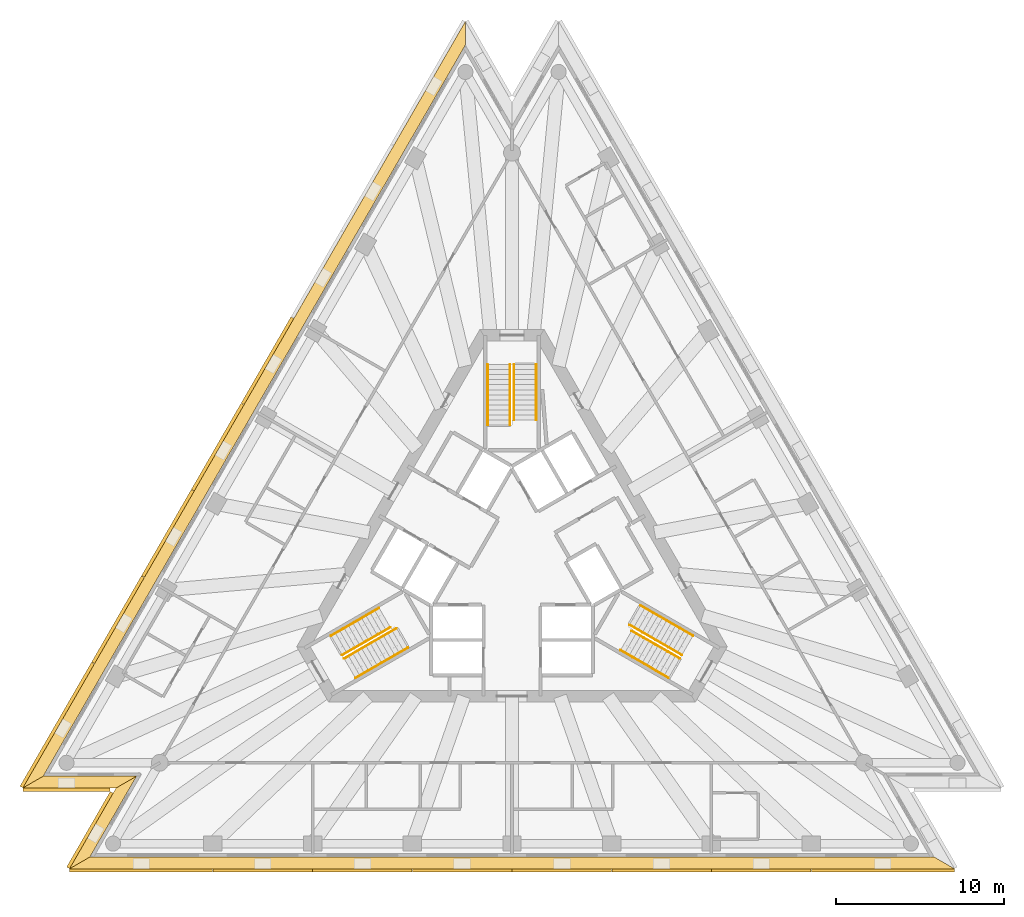
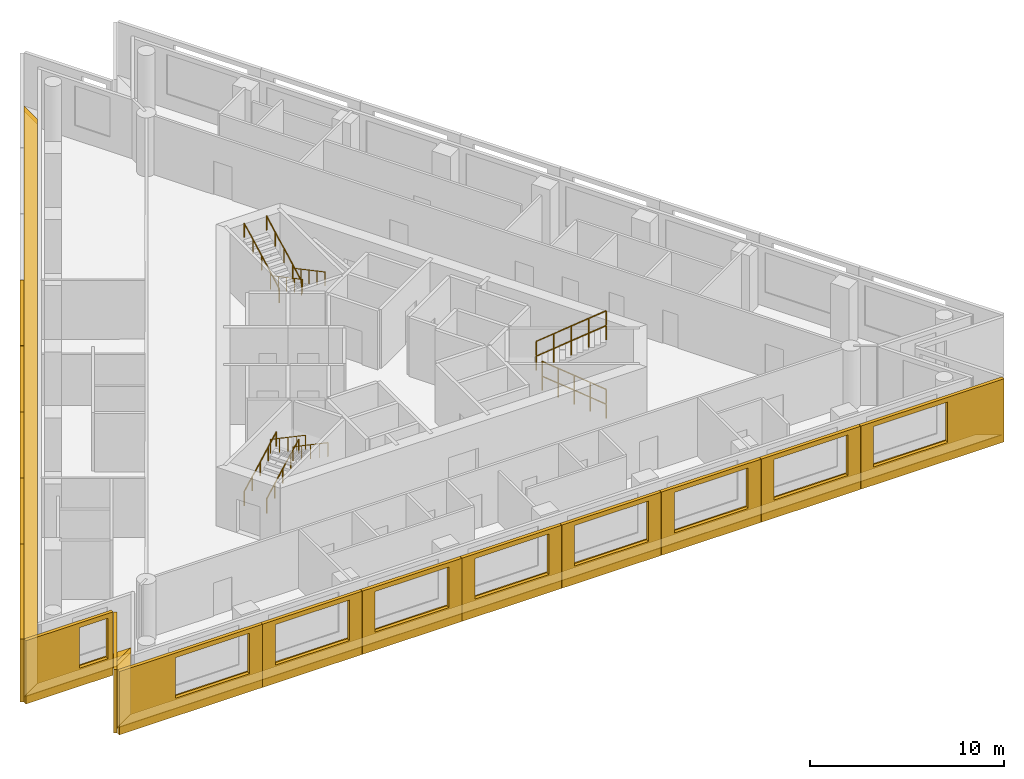
# One storey, part 8 of 9: 19 shading devices, 12 railings, 4 coverings, 3 elements without a shape of their own.
"""IFC4 building model written with IfcOpenShell, lengths in metres."""

from ifc_helpers import new_model, si_unit, direction, frame, origin, origin_2d, place, context, subcontext, project, spatial, polyline, circle, outline, extrude, material, layer, layer_set, layer_usage, type_object, element, aggregate, save


model = new_model("IFC4")

# Units and contexts
model_context = context("Model", 3, precision=1e-05, world=origin(), true_north=direction((0.0, 1.0)))
body_context = subcontext(model_context, "Body", "Model", "MODEL_VIEW")
ifc_project = project(units=[si_unit("LENGTHUNIT", "METRE"), si_unit("AREAUNIT", "SQUARE_METRE"), si_unit("VOLUMEUNIT", "CUBIC_METRE"), si_unit("PLANEANGLEUNIT", "RADIAN"), si_unit("MASSUNIT", "GRAM", prefix="KILO")], contexts=[model_context])

# Site, building, storey
site_placement = place(None, origin())
site = spatial("IfcSite", under=ifc_project, at=site_placement, CompositionType="ELEMENT")
building_placement = place(site_placement, origin())
building = spatial("IfcBuilding", under=site, at=building_placement, Name="Triada Interchange Tower", CompositionType="ELEMENT")
storey_placement = place(building_placement, frame((0.0, 0.0, 227.300048828125)))
storey = spatial("IfcBuildingStorey", under=building, at=storey_placement, Name="L53", CompositionType="ELEMENT", Elevation=227.300048828125)

# Coverings
ifc_material_1 = material(Name="Mineral fire-stop board")
ifc_layer_1 = layer(ifc_material_1, 0.0400390625, Name="Mineral fire-stop board")
ifc_material_2 = material(Name="Intumescent sealant")
ifc_layer_2 = layer(ifc_material_2, 0.010009765625, Name="Intumescent seal")
ifc_layer_set_1 = layer_set([ifc_layer_1, ifc_layer_2], Name="Cavity fire stop")
ifc_layer_usage = layer_usage(ifc_layer_set_1, "AXIS3", "POSITIVE", 0.0)
covering_type = type_object("IfcCoveringType", Name="Cavity fire stop", PredefinedType="INSULATION", material=ifc_layer_set_1)
covering_1_placement = place(storey_placement, origin())
element("IfcCovering", 1, at=covering_1_placement, inside=storey, type_object=covering_type, material=ifc_layer_usage, Name="Cavity fire stop L53 NW", PredefinedType="INSULATION", context=body_context, shape_type="SweptSolid", body=[
    extrude(outline(polyline([(-2.777099609375, 30.623046875), (-2.777099609375, 32.02294921875), (-29.1220703125, -13.60595703125), (-27.909912109375, -12.906005859375), (-2.777099609375, 30.623046875)])), origin(), (0.0, 0.0, 1.0), 0.050048828125),
])
covering_2_placement = place(storey_placement, origin())
element("IfcCovering", 2, at=covering_2_placement, inside=storey, type_object=covering_type, material=ifc_layer_usage, Name="Cavity fire stop L53 SW-1", PredefinedType="INSULATION", context=body_context, shape_type="SweptSolid", body=[
    extrude(outline(polyline([(-27.909912109375, -12.906005859375), (-29.1220703125, -13.60595703125), (-23.56689453125, -13.60595703125), (-22.35498046875, -12.906005859375), (-27.909912109375, -12.906005859375)])), origin(), (0.0, 0.0, 1.0), 0.050048828125),
])
covering_3_placement = place(storey_placement, origin())
element("IfcCovering", 3, at=covering_3_placement, inside=storey, type_object=covering_type, material=ifc_layer_usage, Name="Cavity fire stop L53 SW-2", PredefinedType="INSULATION", context=body_context, shape_type="SweptSolid", body=[
    extrude(outline(polyline([(-22.35498046875, -12.906005859375), (-23.56689453125, -13.60595703125), (-26.343994140625, -18.4169921875), (-25.132080078125, -17.717041015625), (-22.35498046875, -12.906005859375)])), origin(), (0.0, 0.0, 1.0), 0.050048828125),
])
covering_4_placement = place(storey_placement, origin())
element("IfcCovering", 4, at=covering_4_placement, inside=storey, type_object=covering_type, material=ifc_layer_usage, Name="Cavity fire stop L53 S", PredefinedType="INSULATION", context=body_context, shape_type="SweptSolid", body=[
    extrude(outline(polyline([(-25.132080078125, -17.717041015625), (-26.343994140625, -18.4169921875), (26.343994140625, -18.4169921875), (25.132080078125, -17.717041015625), (-25.132080078125, -17.717041015625)])), origin(), (0.0, 0.0, 1.0), 0.050048828125),
])

# Shading devices
ifc_material_3 = material(Name="Aluminium louvre", Category="aluminium")
shading_device_type_1 = type_object("IfcShadingDeviceType", Name="Cavity louvre grille", PredefinedType="JALOUSIE", material=ifc_material_3)
shading_device_1_placement = place(storey_placement, frame((0.0, 0.0, 0.050048828125)))
element("IfcShadingDevice", 5, at=shading_device_1_placement, inside=storey, type_object=shading_device_type_1, Name="Cavity louvre grille L53 NW", PredefinedType="JALOUSIE", context=body_context, shape_type="SweptSolid", body=[
    extrude(outline(polyline([(-2.777099609375, 30.623046875), (-2.777099609375, 32.02294921875), (-29.1220703125, -13.60595703125), (-27.909912109375, -12.906005859375), (-2.777099609375, 30.623046875)])), origin(), (0.0, 0.0, 1.0), 0.2998046875),
])
shading_device_2_placement = place(storey_placement, frame((0.0, 0.0, 0.050048828125)))
element("IfcShadingDevice", 6, at=shading_device_2_placement, inside=storey, type_object=shading_device_type_1, Name="Cavity louvre grille L53 SW-1", PredefinedType="JALOUSIE", context=body_context, shape_type="SweptSolid", body=[
    extrude(outline(polyline([(-27.909912109375, -12.906005859375), (-29.1220703125, -13.60595703125), (-23.56689453125, -13.60595703125), (-22.35498046875, -12.906005859375), (-27.909912109375, -12.906005859375)])), origin(), (0.0, 0.0, 1.0), 0.2998046875),
])
shading_device_3_placement = place(storey_placement, frame((0.0, 0.0, 0.050048828125)))
element("IfcShadingDevice", 7, at=shading_device_3_placement, inside=storey, type_object=shading_device_type_1, Name="Cavity louvre grille L53 SW-2", PredefinedType="JALOUSIE", context=body_context, shape_type="SweptSolid", body=[
    extrude(outline(polyline([(-22.35498046875, -12.906005859375), (-23.56689453125, -13.60595703125), (-26.343994140625, -18.4169921875), (-25.132080078125, -17.717041015625), (-22.35498046875, -12.906005859375)])), origin(), (0.0, 0.0, 1.0), 0.2998046875),
])
shading_device_4_placement = place(storey_placement, frame((0.0, 0.0, 0.050048828125)))
element("IfcShadingDevice", 8, at=shading_device_4_placement, inside=storey, type_object=shading_device_type_1, Name="Cavity louvre grille L53 S", PredefinedType="JALOUSIE", context=body_context, shape_type="SweptSolid", body=[
    extrude(outline(polyline([(-25.132080078125, -17.717041015625), (-26.343994140625, -18.4169921875), (26.343994140625, -18.4169921875), (25.132080078125, -17.717041015625), (-25.132080078125, -17.717041015625)])), origin(), (0.0, 0.0, 1.0), 0.2998046875),
])
ifc_material_4 = material(Name="Concrete C50/60 precast", Category="concrete")
ifc_layer_3 = layer(ifc_material_4, 0.02001953125, Name="Exposed aggregate face")
ifc_layer_4 = layer(ifc_material_4, 0.179931640625, Name="Precast concrete screen")
ifc_layer_set_2 = layer_set([ifc_layer_3, ifc_layer_4], Name="Outer skin screen panel 3980")
shading_device_type_2 = type_object("IfcShadingDeviceType", Name="Outer skin screen panel 3980", PredefinedType="SHUTTER", material=ifc_layer_set_2)
shading_device_5_placement = place(storey_placement, frame((-12.986083984375, 14.341064453125, -0.2900390625), z_axis=(0.0, 0.0, 1.0), x_axis=(-0.500079606793, -0.865979437902, 0.0)))
element("IfcShadingDevice", 9, at=shading_device_5_placement, inside=storey, type_object=shading_device_type_2, Name="Outer skin screen panel L53 04", PredefinedType="SHUTTER", context=body_context, shape_type="SweptSolid", body=[
    extrude(outline(polyline([(0.0, 0.0), (5.9169921875, 0.0), (5.9169921875, 3.97998046875), (0.0, 3.97998046875), (0.0, 0.0)]), holes=[polyline([(0.7578125, 1.139892578125), (0.7578125, 3.68994140625), (5.157958984375, 3.68994140625), (5.157958984375, 1.139892578125), (0.7578125, 1.139892578125)])]), frame((0.0, 0.0, 0.0), z_axis=(0.0, -1.0, 0.0), x_axis=(1.0, 0.0, 0.0)), (0.0, 0.0, 1.0), 0.199951171875),
])
shading_device_6_placement = place(storey_placement, frame((-15.955078125, 9.199951171875, -0.2900390625), z_axis=(0.0, 0.0, 1.0), x_axis=(-0.499955822529, -0.866050908157, 0.0)))
element("IfcShadingDevice", 10, at=shading_device_6_placement, inside=storey, type_object=shading_device_type_2, Name="Outer skin screen panel L53 05", PredefinedType="SHUTTER", context=body_context, shape_type="SweptSolid", body=[
    extrude(outline(polyline([(0.0, 0.0), (5.91650390625, 0.0), (5.91650390625, 3.97998046875), (0.0, 3.97998046875), (0.0, 0.0)]), holes=[polyline([(0.75830078125, 1.139892578125), (0.75830078125, 3.68994140625), (5.158447265625, 3.68994140625), (5.158447265625, 1.139892578125), (0.75830078125, 1.139892578125)])]), frame((0.0, 0.0, 0.0), z_axis=(0.0, -1.0, 0.0), x_axis=(1.0, 0.0, 0.0)), (0.0, 0.0, 1.0), 0.199951171875),
])
shading_device_7_placement = place(storey_placement, frame((-18.923095703125, 4.05908203125, -0.2900390625), z_axis=(0.0, 0.0, 1.0), x_axis=(-0.499955822529, -0.866050908157, 0.0)))
element("IfcShadingDevice", 11, at=shading_device_7_placement, inside=storey, type_object=shading_device_type_2, Name="Outer skin screen panel L53 06", PredefinedType="SHUTTER", context=body_context, shape_type="SweptSolid", body=[
    extrude(outline(polyline([(0.0, 0.0), (5.91650390625, 0.0), (5.91650390625, 3.97998046875), (0.0, 3.97998046875), (0.0, 0.0)]), holes=[polyline([(0.7578125, 1.139892578125), (0.7578125, 3.68994140625), (5.157958984375, 3.68994140625), (5.157958984375, 1.139892578125), (0.7578125, 1.139892578125)])]), frame((0.0, 0.0, 0.0), z_axis=(0.0, -1.0, 0.0), x_axis=(1.0, 0.0, 0.0)), (0.0, 0.0, 1.0), 0.199951171875),
])
shading_device_8_placement = place(storey_placement, frame((-21.89111328125, -1.08203125, -0.2900390625), z_axis=(0.0, 0.0, 1.0), x_axis=(-0.500079606793, -0.865979437902, 0.0)))
element("IfcShadingDevice", 12, at=shading_device_8_placement, inside=storey, type_object=shading_device_type_2, Name="Outer skin screen panel L53 07", PredefinedType="SHUTTER", context=body_context, shape_type="SweptSolid", body=[
    extrude(outline(polyline([(0.0, 0.0), (5.9169921875, 0.0), (5.9169921875, 3.97998046875), (0.0, 3.97998046875), (0.0, 0.0)]), holes=[polyline([(0.75830078125, 1.139892578125), (0.75830078125, 3.68994140625), (5.158203125, 3.68994140625), (5.158203125, 1.139892578125), (0.75830078125, 1.139892578125)])]), frame((0.0, 0.0, 0.0), z_axis=(0.0, -1.0, 0.0), x_axis=(1.0, 0.0, 0.0)), (0.0, 0.0, 1.0), 0.199951171875),
])
shading_device_9_placement = place(storey_placement, frame((-24.860107421875, -6.222900390625, -0.2900390625), z_axis=(0.0, 0.0, 1.0), x_axis=(-0.499950805595, -0.866053804324, 0.0)))
element("IfcShadingDevice", 13, at=shading_device_9_placement, inside=storey, type_object=shading_device_type_2, Name="Outer skin screen panel L53 08", PredefinedType="SHUTTER", context=body_context, shape_type="SweptSolid", body=[
    extrude(outline(polyline([(0.0, 0.0), (8.514404296875, 0.0), (8.514404296875, 3.97998046875), (0.0, 3.97998046875), (0.0, 0.0)]), holes=[polyline([(0.7578125, 1.139892578125), (0.7578125, 3.68994140625), (5.15771484375, 3.68994140625), (5.15771484375, 1.139892578125), (0.7578125, 1.139892578125)])]), frame((0.0, 0.0, 0.0), z_axis=(0.0, -1.0, 0.0), x_axis=(1.0, 0.0, 0.0)), (0.0, 0.0, 1.0), 0.199951171875),
])
shading_device_10_placement = place(storey_placement, frame((-29.112060546875, -13.60595703125, -0.2900390625), z_axis=(0.0, 0.0, 1.0), x_axis=(1.0, 0.0, 0.0)))
element("IfcShadingDevice", 14, at=shading_device_10_placement, inside=storey, type_object=shading_device_type_2, Name="Outer skin screen panel L53 09", PredefinedType="SHUTTER", context=body_context, shape_type="SweptSolid", body=[
    extrude(outline(polyline([(0.0, 0.0), (5.18896484375, 0.0), (5.18896484375, 3.97998046875), (0.0, 3.97998046875), (0.0, 0.0)]), holes=[polyline([(3.175048828125, 1.139892578125), (3.175048828125, 3.68994140625), (4.888916015625, 3.68994140625), (4.888916015625, 1.139892578125), (3.175048828125, 1.139892578125)])]), frame((0.0, 0.0, 0.0), z_axis=(0.0, -1.0, 0.0), x_axis=(1.0, 0.0, 0.0)), (0.0, 0.0, 1.0), 0.199951171875),
])
shading_device_11_placement = place(storey_placement, frame((-23.7451171875, -13.9140625, -0.2900390625), z_axis=(0.0, 0.0, 1.0), x_axis=(-0.499919314206, -0.866071982738, 0.0)))
element("IfcShadingDevice", 15, at=shading_device_11_placement, inside=storey, type_object=shading_device_type_2, Name="Outer skin screen panel L53 10", PredefinedType="SHUTTER", context=body_context, shape_type="SweptSolid", body=[
    extrude(outline(polyline([(0.0, 0.0), (5.188720703125, 0.0), (5.188720703125, 3.97998046875), (0.0, 3.97998046875), (0.0, 0.0)]), holes=[polyline([(0.300048828125, 1.139892578125), (0.300048828125, 3.68994140625), (1.758544921875, 3.68994140625), (1.758544921875, 1.139892578125), (0.300048828125, 1.139892578125)])]), frame((0.0, 0.0, 0.0), z_axis=(0.0, -1.0, 0.0), x_axis=(1.0, 0.0, 0.0)), (0.0, 0.0, 1.0), 0.199951171875),
])
shading_device_12_placement = place(storey_placement, frame((-26.333984375, -18.4169921875, -0.2900390625), z_axis=(0.0, 0.0, 1.0), x_axis=(1.0, 0.0, 0.0)))
element("IfcShadingDevice", 16, at=shading_device_12_placement, inside=storey, type_object=shading_device_type_2, Name="Outer skin screen panel L53 11", PredefinedType="SHUTTER", context=body_context, shape_type="SweptSolid", body=[
    extrude(outline(polyline([(0.0, 0.0), (8.514892578125, 0.0), (8.514892578125, 3.97998046875), (0.0, 3.97998046875), (0.0, 0.0)]), holes=[polyline([(3.35595703125, 1.139892578125), (3.35595703125, 3.68994140625), (7.756103515625, 3.68994140625), (7.756103515625, 1.139892578125), (3.35595703125, 1.139892578125)])]), frame((0.0, 0.0, 0.0), z_axis=(0.0, -1.0, 0.0), x_axis=(1.0, 0.0, 0.0)), (0.0, 0.0, 1.0), 0.199951171875),
])
shading_device_13_placement = place(storey_placement, frame((-17.800048828125, -18.4169921875, -0.2900390625), z_axis=(0.0, 0.0, 1.0), x_axis=(1.0, 0.0, 0.0)))
element("IfcShadingDevice", 17, at=shading_device_13_placement, inside=storey, type_object=shading_device_type_2, Name="Outer skin screen panel L53 12", PredefinedType="SHUTTER", context=body_context, shape_type="SweptSolid", body=[
    extrude(outline(polyline([(0.0, 0.0), (5.9169921875, 0.0), (5.9169921875, 3.97998046875), (0.0, 3.97998046875), (0.0, 0.0)]), holes=[polyline([(0.758544921875, 1.139892578125), (0.758544921875, 3.68994140625), (5.158447265625, 3.68994140625), (5.158447265625, 1.139892578125), (0.758544921875, 1.139892578125)])]), frame((0.0, 0.0, 0.0), z_axis=(0.0, -1.0, 0.0), x_axis=(1.0, 0.0, 0.0)), (0.0, 0.0, 1.0), 0.199951171875),
])
shading_device_14_placement = place(storey_placement, frame((-11.863037109375, -18.4169921875, -0.2900390625), z_axis=(0.0, 0.0, 1.0), x_axis=(1.0, 0.0, 0.0)))
element("IfcShadingDevice", 18, at=shading_device_14_placement, inside=storey, type_object=shading_device_type_2, Name="Outer skin screen panel L53 13", PredefinedType="SHUTTER", context=body_context, shape_type="SweptSolid", body=[
    extrude(outline(polyline([(0.0, 0.0), (5.9169921875, 0.0), (5.9169921875, 3.97998046875), (0.0, 3.97998046875), (0.0, 0.0)]), holes=[polyline([(0.758056640625, 1.139892578125), (0.758056640625, 3.68994140625), (5.157958984375, 3.68994140625), (5.157958984375, 1.139892578125), (0.758056640625, 1.139892578125)])]), frame((0.0, 0.0, 0.0), z_axis=(0.0, -1.0, 0.0), x_axis=(1.0, 0.0, 0.0)), (0.0, 0.0, 1.0), 0.199951171875),
])
shading_device_15_placement = place(storey_placement, frame((-5.926025390625, -18.4169921875, -0.2900390625), z_axis=(0.0, 0.0, 1.0), x_axis=(1.0, 0.0, 0.0)))
element("IfcShadingDevice", 19, at=shading_device_15_placement, inside=storey, type_object=shading_device_type_2, Name="Outer skin screen panel L53 14", PredefinedType="SHUTTER", context=body_context, shape_type="SweptSolid", body=[
    extrude(outline(polyline([(0.0, 0.0), (5.916015625, 0.0), (5.916015625, 3.97998046875), (0.0, 3.97998046875), (0.0, 0.0)]), holes=[polyline([(0.758544921875, 1.139892578125), (0.758544921875, 3.68994140625), (5.158447265625, 3.68994140625), (5.158447265625, 1.139892578125), (0.758544921875, 1.139892578125)])]), frame((0.0, 0.0, 0.0), z_axis=(0.0, -1.0, 0.0), x_axis=(1.0, 0.0, 0.0)), (0.0, 0.0, 1.0), 0.199951171875),
])
shading_device_16_placement = place(storey_placement, frame((0.010009765625, -18.4169921875, -0.2900390625), z_axis=(0.0, 0.0, 1.0), x_axis=(1.0, 0.0, 0.0)))
element("IfcShadingDevice", 20, at=shading_device_16_placement, inside=storey, type_object=shading_device_type_2, Name="Outer skin screen panel L53 15", PredefinedType="SHUTTER", context=body_context, shape_type="SweptSolid", body=[
    extrude(outline(polyline([(0.0, 0.0), (5.916015625, 0.0), (5.916015625, 3.97998046875), (0.0, 3.97998046875), (0.0, 0.0)]), holes=[polyline([(0.758056640625, 1.139892578125), (0.758056640625, 3.68994140625), (5.157958984375, 3.68994140625), (5.157958984375, 1.139892578125), (0.758056640625, 1.139892578125)])]), frame((0.0, 0.0, 0.0), z_axis=(0.0, -1.0, 0.0), x_axis=(1.0, 0.0, 0.0)), (0.0, 0.0, 1.0), 0.199951171875),
])
shading_device_17_placement = place(storey_placement, frame((5.946044921875, -18.4169921875, -0.2900390625), z_axis=(0.0, 0.0, 1.0), x_axis=(1.0, 0.0, 0.0)))
element("IfcShadingDevice", 21, at=shading_device_17_placement, inside=storey, type_object=shading_device_type_2, Name="Outer skin screen panel L53 16", PredefinedType="SHUTTER", context=body_context, shape_type="SweptSolid", body=[
    extrude(outline(polyline([(0.0, 0.0), (5.9169921875, 0.0), (5.9169921875, 3.97998046875), (0.0, 3.97998046875), (0.0, 0.0)]), holes=[polyline([(0.758544921875, 1.139892578125), (0.758544921875, 3.68994140625), (5.158447265625, 3.68994140625), (5.158447265625, 1.139892578125), (0.758544921875, 1.139892578125)])]), frame((0.0, 0.0, 0.0), z_axis=(0.0, -1.0, 0.0), x_axis=(1.0, 0.0, 0.0)), (0.0, 0.0, 1.0), 0.199951171875),
])
shading_device_18_placement = place(storey_placement, frame((11.883056640625, -18.4169921875, -0.2900390625), z_axis=(0.0, 0.0, 1.0), x_axis=(1.0, 0.0, 0.0)))
element("IfcShadingDevice", 22, at=shading_device_18_placement, inside=storey, type_object=shading_device_type_2, Name="Outer skin screen panel L53 17", PredefinedType="SHUTTER", context=body_context, shape_type="SweptSolid", body=[
    extrude(outline(polyline([(0.0, 0.0), (5.916015625, 0.0), (5.916015625, 3.97998046875), (0.0, 3.97998046875), (0.0, 0.0)]), holes=[polyline([(0.758056640625, 1.139892578125), (0.758056640625, 3.68994140625), (5.157958984375, 3.68994140625), (5.157958984375, 1.139892578125), (0.758056640625, 1.139892578125)])]), frame((0.0, 0.0, 0.0), z_axis=(0.0, -1.0, 0.0), x_axis=(1.0, 0.0, 0.0)), (0.0, 0.0, 1.0), 0.199951171875),
])
shading_device_19_placement = place(storey_placement, frame((17.819091796875, -18.4169921875, -0.2900390625), z_axis=(0.0, 0.0, 1.0), x_axis=(1.0, 0.0, 0.0)))
element("IfcShadingDevice", 23, at=shading_device_19_placement, inside=storey, type_object=shading_device_type_2, Name="Outer skin screen panel L53 18", PredefinedType="SHUTTER", context=body_context, shape_type="SweptSolid", body=[
    extrude(outline(polyline([(0.0, 0.0), (8.514892578125, 0.0), (8.514892578125, 3.97998046875), (0.0, 3.97998046875), (0.0, 0.0)]), holes=[polyline([(0.758544921875, 1.139892578125), (0.758544921875, 3.68994140625), (5.158447265625, 3.68994140625), (5.158447265625, 1.139892578125), (0.758544921875, 1.139892578125)])]), frame((0.0, 0.0, 0.0), z_axis=(0.0, -1.0, 0.0), x_axis=(1.0, 0.0, 0.0)), (0.0, 0.0, 1.0), 0.199951171875),
])

# Stair, railings
ifc_material_5 = material(Name="Concrete C35/45", Category="concrete")
stair_type = type_object("IfcStairType", Name="HALF TURN STAIR 1400", PredefinedType="HALF_TURN_STAIR", material=ifc_material_5)
stair_1_placement = place(storey_placement, origin())
stair_1 = element("IfcStair", 24, at=stair_1_placement, inside=storey, type_object=stair_type, Name="Exit stair S53-1", PredefinedType="HALF_TURN_STAIR")
ifc_material_6 = material(Name="Stainless steel 1.4301", Category="steel")
railing_type = type_object("IfcRailingType", Name="STAIR HANDRAIL 900", PredefinedType="HANDRAIL", material=ifc_material_6)
railing_1_placement = place(storey_placement, frame((1.449951171875, 11.60009765625, 0.159912109375)))
railing_1 = element("IfcRailing", 25, at=railing_1_placement, type_object=railing_type, Name="Handrail S53-1 1W", PredefinedType="HANDRAIL", context=body_context, shape_type="SweptSolid", body=[
    extrude(circle(Radius=0.02392578125, at=origin_2d()), frame((0.0, 0.0, 0.8759765625), z_axis=(0.0, -0.882354748157, 0.47058484719), x_axis=(1.0, 0.0, 0.0)), (0.0, 0.0, 1.0), 3.739990234375),
    extrude(circle(Radius=0.02099609375, at=origin_2d()), origin(), (0.0, 0.0, 1.0), 0.851806640625),
    extrude(circle(Radius=0.02099609375, at=origin_2d()), frame((0.0, -0.824951171875, 0.43994140625)), (0.0, 0.0, 1.0), 0.851806640625),
    extrude(circle(Radius=0.02099609375, at=origin_2d()), frame((0.0, -1.64990234375, 0.8798828125)), (0.0, 0.0, 1.0), 0.851806640625),
    extrude(circle(Radius=0.02099609375, at=origin_2d()), frame((0.0, -2.47509765625, 1.320068359375)), (0.0, 0.0, 1.0), 0.851806640625),
    extrude(circle(Radius=0.02099609375, at=origin_2d()), frame((0.0, -3.300048828125, 1.760009765625)), (0.0, 0.0, 1.0), 0.851806640625),
])
railing_2_placement = place(storey_placement, frame((0.1201171875, 11.60009765625, 0.159912109375)))
railing_2 = element("IfcRailing", 26, at=railing_2_placement, type_object=railing_type, Name="Handrail S53-1 1C", PredefinedType="HANDRAIL", context=body_context, shape_type="SweptSolid", body=[
    extrude(circle(Radius=0.02392578125, at=origin_2d()), frame((0.0, 0.0, 0.8759765625), z_axis=(0.0, -0.882354748157, 0.47058484719), x_axis=(1.0, 0.0, 0.0)), (0.0, 0.0, 1.0), 3.739990234375),
    extrude(circle(Radius=0.02099609375, at=origin_2d()), origin(), (0.0, 0.0, 1.0), 0.851806640625),
    extrude(circle(Radius=0.02099609375, at=origin_2d()), frame((0.0, -0.824951171875, 0.43994140625)), (0.0, 0.0, 1.0), 0.851806640625),
    extrude(circle(Radius=0.02099609375, at=origin_2d()), frame((0.0, -1.64990234375, 0.8798828125)), (0.0, 0.0, 1.0), 0.851806640625),
    extrude(circle(Radius=0.02099609375, at=origin_2d()), frame((0.0, -2.47509765625, 1.320068359375)), (0.0, 0.0, 1.0), 0.851806640625),
    extrude(circle(Radius=0.02099609375, at=origin_2d()), frame((0.0, -3.300048828125, 1.760009765625)), (0.0, 0.0, 1.0), 0.851806640625),
])
railing_3_placement = place(storey_placement, frame((-1.449951171875, 8.0, 2.079833984375)))
railing_3 = element("IfcRailing", 27, at=railing_3_placement, type_object=railing_type, Name="Handrail S53-1 2W", PredefinedType="HANDRAIL", context=body_context, shape_type="SweptSolid", body=[
    extrude(circle(Radius=0.02392578125, at=origin_2d()), frame((0.0, 0.0, 0.8759765625), z_axis=(0.0, 0.882341346394, 0.470609974867), x_axis=(-1.0, 0.0, 0.0)), (0.0, 0.0, 1.0), 4.080078125),
    extrude(circle(Radius=0.02099609375, at=origin_2d()), origin(), (0.0, 0.0, 1.0), 0.851806640625),
    extrude(circle(Radius=0.02099609375, at=origin_2d()), frame((0.0, 0.89990234375, 0.47998046875)), (0.0, 0.0, 1.0), 0.851806640625),
    extrude(circle(Radius=0.02099609375, at=origin_2d()), frame((0.0, 1.800048828125, 0.9599609375)), (0.0, 0.0, 1.0), 0.851806640625),
    extrude(circle(Radius=0.02099609375, at=origin_2d()), frame((0.0, 2.7001953125, 1.440185546875)), (0.0, 0.0, 1.0), 0.851806640625),
    extrude(circle(Radius=0.02099609375, at=origin_2d()), frame((0.0, 3.60009765625, 1.920166015625)), (0.0, 0.0, 1.0), 0.851806640625),
])
railing_4_placement = place(storey_placement, frame((-0.1201171875, 8.0, 2.079833984375)))
railing_4 = element("IfcRailing", 28, at=railing_4_placement, type_object=railing_type, Name="Handrail S53-1 2C", PredefinedType="HANDRAIL", context=body_context, shape_type="SweptSolid", body=[
    extrude(circle(Radius=0.02392578125, at=origin_2d()), frame((0.0, 0.0, 0.8759765625), z_axis=(0.0, 0.882341346394, 0.470609974867), x_axis=(-1.0, 0.0, 0.0)), (0.0, 0.0, 1.0), 4.080078125),
    extrude(circle(Radius=0.02099609375, at=origin_2d()), origin(), (0.0, 0.0, 1.0), 0.851806640625),
    extrude(circle(Radius=0.02099609375, at=origin_2d()), frame((0.0, 0.89990234375, 0.47998046875)), (0.0, 0.0, 1.0), 0.851806640625),
    extrude(circle(Radius=0.02099609375, at=origin_2d()), frame((0.0, 1.800048828125, 0.9599609375)), (0.0, 0.0, 1.0), 0.851806640625),
    extrude(circle(Radius=0.02099609375, at=origin_2d()), frame((0.0, 2.7001953125, 1.440185546875)), (0.0, 0.0, 1.0), 0.851806640625),
    extrude(circle(Radius=0.02099609375, at=origin_2d()), frame((0.0, 3.60009765625, 1.920166015625)), (0.0, 0.0, 1.0), 0.851806640625),
])
aggregate(stair_1, [railing_1, railing_2, railing_3, railing_4])

stair_2_placement = place(storey_placement, origin())
stair_2 = element("IfcStair", 29, at=stair_2_placement, inside=storey, type_object=stair_type, Name="Exit stair S53-2", PredefinedType="HALF_TURN_STAIR")
railing_5_placement = place(storey_placement, frame((-10.77099609375, -4.5439453125, 0.159912109375)))
railing_5 = element("IfcRailing", 30, at=railing_5_placement, type_object=railing_type, Name="Handrail S53-2 1W", PredefinedType="HANDRAIL", context=body_context, shape_type="SweptSolid", body=[
    extrude(circle(Radius=0.02392578125, at=origin_2d()), frame((0.0, 0.0, 0.8759765625), z_axis=(0.764150854273, 0.441152526326, 0.470593158077), x_axis=(-0.499974350878, 0.866040211805, 0.0)), (0.0, 0.0, 1.0), 3.739990234375),
    extrude(circle(Radius=0.02099609375, at=origin_2d()), origin(), (0.0, 0.0, 1.0), 0.851806640625),
    extrude(circle(Radius=0.02099609375, at=origin_2d()), frame((0.71435546875, 0.41259765625, 0.43994140625)), (0.0, 0.0, 1.0), 0.851806640625),
    extrude(circle(Radius=0.02099609375, at=origin_2d()), frame((1.428955078125, 0.824951171875, 0.8798828125)), (0.0, 0.0, 1.0), 0.851806640625),
    extrude(circle(Radius=0.02099609375, at=origin_2d()), frame((2.1435546875, 1.2373046875, 1.320068359375)), (0.0, 0.0, 1.0), 0.851806640625),
    extrude(circle(Radius=0.02099609375, at=origin_2d()), frame((2.85791015625, 1.64990234375, 1.760009765625)), (0.0, 0.0, 1.0), 0.851806640625),
])
railing_6_placement = place(storey_placement, frame((-10.10595703125, -5.696044921875, 0.159912109375)))
railing_6 = element("IfcRailing", 31, at=railing_6_placement, type_object=railing_type, Name="Handrail S53-2 1C", PredefinedType="HANDRAIL", context=body_context, shape_type="SweptSolid", body=[
    extrude(circle(Radius=0.02392578125, at=origin_2d()), frame((0.0, 0.0, 0.8759765625), z_axis=(0.76412884773, 0.441205098395, 0.470579605611), x_axis=(-0.50002983664, 0.866008176907, 0.0)), (0.0, 0.0, 1.0), 3.739990234375),
    extrude(circle(Radius=0.02099609375, at=origin_2d()), origin(), (0.0, 0.0, 1.0), 0.851806640625),
    extrude(circle(Radius=0.02099609375, at=origin_2d()), frame((0.71435546875, 0.41259765625, 0.43994140625)), (0.0, 0.0, 1.0), 0.851806640625),
    extrude(circle(Radius=0.02099609375, at=origin_2d()), frame((1.428955078125, 0.8251953125, 0.8798828125)), (0.0, 0.0, 1.0), 0.851806640625),
    extrude(circle(Radius=0.02099609375, at=origin_2d()), frame((2.1435546875, 1.237548828125, 1.320068359375)), (0.0, 0.0, 1.0), 0.851806640625),
    extrude(circle(Radius=0.02099609375, at=origin_2d()), frame((2.85791015625, 1.650146484375, 1.760009765625)), (0.0, 0.0, 1.0), 0.851806640625),
])
railing_7_placement = place(storey_placement, frame((-6.202880859375, -5.256103515625, 2.079833984375)))
railing_7 = element("IfcRailing", 32, at=railing_7_placement, type_object=railing_type, Name="Handrail S53-2 2W", PredefinedType="HANDRAIL", context=body_context, shape_type="SweptSolid", body=[
    extrude(circle(Radius=0.02392578125, at=origin_2d()), frame((0.0, 0.0, 0.8759765625), z_axis=(-0.764189758314, -0.441090424232, 0.470588196769), x_axis=(0.499902469156, -0.866081705922, 0.0)), (0.0, 0.0, 1.0), 4.080322265625),
    extrude(circle(Radius=0.02099609375, at=origin_2d()), origin(), (0.0, 0.0, 1.0), 0.851806640625),
    extrude(circle(Radius=0.02099609375, at=origin_2d()), frame((-0.779541015625, -0.449951171875, 0.47998046875)), (0.0, 0.0, 1.0), 0.851806640625),
    extrude(circle(Radius=0.02099609375, at=origin_2d()), frame((-1.55908203125, -0.89990234375, 0.9599609375)), (0.0, 0.0, 1.0), 0.851806640625),
    extrude(circle(Radius=0.02099609375, at=origin_2d()), frame((-2.338623046875, -1.349853515625, 1.440185546875)), (0.0, 0.0, 1.0), 0.851806640625),
    extrude(circle(Radius=0.02099609375, at=origin_2d()), frame((-3.1181640625, -1.7998046875, 1.920166015625)), (0.0, 0.0, 1.0), 0.851806640625),
])
railing_8_placement = place(storey_placement, frame((-6.867919921875, -4.10400390625, 2.079833984375)))
railing_8 = element("IfcRailing", 33, at=railing_8_placement, type_object=railing_type, Name="Handrail S53-2 2C", PredefinedType="HANDRAIL", context=body_context, shape_type="SweptSolid", body=[
    extrude(circle(Radius=0.02392578125, at=origin_2d()), frame((0.0, 0.0, 0.8759765625), z_axis=(-0.764169589359, -0.441138614339, 0.470575776723), x_axis=(0.49995333141, -0.866052346231, 0.0)), (0.0, 0.0, 1.0), 4.08056640625),
    extrude(circle(Radius=0.02099609375, at=origin_2d()), origin(), (0.0, 0.0, 1.0), 0.851806640625),
    extrude(circle(Radius=0.02099609375, at=origin_2d()), frame((-0.779541015625, -0.449951171875, 0.47998046875)), (0.0, 0.0, 1.0), 0.851806640625),
    extrude(circle(Radius=0.02099609375, at=origin_2d()), frame((-1.55908203125, -0.89990234375, 0.9599609375)), (0.0, 0.0, 1.0), 0.851806640625),
    extrude(circle(Radius=0.02099609375, at=origin_2d()), frame((-2.338623046875, -1.35009765625, 1.440185546875)), (0.0, 0.0, 1.0), 0.851806640625),
    extrude(circle(Radius=0.02099609375, at=origin_2d()), frame((-3.1181640625, -1.800048828125, 1.920166015625)), (0.0, 0.0, 1.0), 0.851806640625),
])
aggregate(stair_2, [railing_5, railing_6, railing_7, railing_8])

stair_3_placement = place(storey_placement, origin())
stair_3 = element("IfcStair", 34, at=stair_3_placement, inside=storey, type_object=stair_type, Name="Exit stair S53-3", PredefinedType="HALF_TURN_STAIR")
railing_9_placement = place(storey_placement, frame((9.321044921875, -7.055908203125, 0.159912109375)))
railing_9 = element("IfcRailing", 35, at=railing_9_placement, type_object=railing_type, Name="Handrail S53-3 1W", PredefinedType="HANDRAIL", context=body_context, shape_type="SweptSolid", body=[
    extrude(circle(Radius=0.02392578125, at=origin_2d()), frame((0.0, 0.0, 0.8759765625), z_axis=(-0.764178012919, 0.441130521168, 0.470569684388), x_axis=(-0.499942318283, -0.866058703778, 0.0)), (0.0, 0.0, 1.0), 3.740234375),
    extrude(circle(Radius=0.02099609375, at=origin_2d()), origin(), (0.0, 0.0, 1.0), 0.851806640625),
    extrude(circle(Radius=0.02099609375, at=origin_2d()), frame((-0.714599609375, 0.41259765625, 0.43994140625)), (0.0, 0.0, 1.0), 0.851806640625),
    extrude(circle(Radius=0.02099609375, at=origin_2d()), frame((-1.42919921875, 0.824951171875, 0.8798828125)), (0.0, 0.0, 1.0), 0.851806640625),
    extrude(circle(Radius=0.02099609375, at=origin_2d()), frame((-2.1435546875, 1.2373046875, 1.320068359375)), (0.0, 0.0, 1.0), 0.851806640625),
    extrude(circle(Radius=0.02099609375, at=origin_2d()), frame((-2.858154296875, 1.64990234375, 1.760009765625)), (0.0, 0.0, 1.0), 0.851806640625),
])
railing_10_placement = place(storey_placement, frame((9.986083984375, -5.904052734375, 0.159912109375)))
railing_10 = element("IfcRailing", 36, at=railing_10_placement, type_object=railing_type, Name="Handrail S53-3 1C", PredefinedType="HANDRAIL", context=body_context, shape_type="SweptSolid", body=[
    extrude(circle(Radius=0.02392578125, at=origin_2d()), frame((0.0, 0.0, 0.8759765625), z_axis=(-0.764156007789, 0.441183091881, 0.47055613395), x_axis=(-0.49999780286, -0.8660266723, 0.0)), (0.0, 0.0, 1.0), 3.740234375),
    extrude(circle(Radius=0.02099609375, at=origin_2d()), origin(), (0.0, 0.0, 1.0), 0.851806640625),
    extrude(circle(Radius=0.02099609375, at=origin_2d()), frame((-0.714599609375, 0.41259765625, 0.43994140625)), (0.0, 0.0, 1.0), 0.851806640625),
    extrude(circle(Radius=0.02099609375, at=origin_2d()), frame((-1.42919921875, 0.8251953125, 0.8798828125)), (0.0, 0.0, 1.0), 0.851806640625),
    extrude(circle(Radius=0.02099609375, at=origin_2d()), frame((-2.1435546875, 1.237548828125, 1.320068359375)), (0.0, 0.0, 1.0), 0.851806640625),
    extrude(circle(Radius=0.02099609375, at=origin_2d()), frame((-2.858154296875, 1.650146484375, 1.760009765625)), (0.0, 0.0, 1.0), 0.851806640625),
])
railing_11_placement = place(storey_placement, frame((7.653076171875, -2.743896484375, 2.079833984375)))
railing_11 = element("IfcRailing", 37, at=railing_11_placement, type_object=railing_type, Name="Handrail S53-3 2W", PredefinedType="HANDRAIL", context=body_context, shape_type="SweptSolid", body=[
    extrude(circle(Radius=0.02392578125, at=origin_2d()), frame((0.0, 0.0, 0.8759765625), z_axis=(0.76414469501, -0.441158784458, 0.470597292793), x_axis=(0.499982693035, 0.866035395735, 0.0)), (0.0, 0.0, 1.0), 4.080322265625),
    extrude(circle(Radius=0.02099609375, at=origin_2d()), origin(), (0.0, 0.0, 1.0), 0.851806640625),
    extrude(circle(Radius=0.02099609375, at=origin_2d()), frame((0.779541015625, -0.449951171875, 0.47998046875)), (0.0, 0.0, 1.0), 0.851806640625),
    extrude(circle(Radius=0.02099609375, at=origin_2d()), frame((1.55908203125, -0.89990234375, 0.9599609375)), (0.0, 0.0, 1.0), 0.851806640625),
    extrude(circle(Radius=0.02099609375, at=origin_2d()), frame((2.33837890625, -1.35009765625, 1.440185546875)), (0.0, 0.0, 1.0), 0.851806640625),
    extrude(circle(Radius=0.02099609375, at=origin_2d()), frame((3.117919921875, -1.800048828125, 1.920166015625)), (0.0, 0.0, 1.0), 0.851806640625),
])
railing_12_placement = place(storey_placement, frame((6.988037109375, -3.89599609375, 2.079833984375)))
railing_12 = element("IfcRailing", 38, at=railing_12_placement, type_object=railing_type, Name="Handrail S53-3 2C", PredefinedType="HANDRAIL", context=body_context, shape_type="SweptSolid", body=[
    extrude(circle(Radius=0.02392578125, at=origin_2d()), frame((0.0, 0.0, 0.8759765625), z_axis=(0.76414469501, -0.441158784458, 0.470597292793), x_axis=(0.499982693035, 0.866035395735, 0.0)), (0.0, 0.0, 1.0), 4.080322265625),
    extrude(circle(Radius=0.02099609375, at=origin_2d()), origin(), (0.0, 0.0, 1.0), 0.851806640625),
    extrude(circle(Radius=0.02099609375, at=origin_2d()), frame((0.779541015625, -0.449951171875, 0.47998046875)), (0.0, 0.0, 1.0), 0.851806640625),
    extrude(circle(Radius=0.02099609375, at=origin_2d()), frame((1.55908203125, -0.89990234375, 0.9599609375)), (0.0, 0.0, 1.0), 0.851806640625),
    extrude(circle(Radius=0.02099609375, at=origin_2d()), frame((2.33837890625, -1.35009765625, 1.440185546875)), (0.0, 0.0, 1.0), 0.851806640625),
    extrude(circle(Radius=0.02099609375, at=origin_2d()), frame((3.117919921875, -1.800048828125, 1.920166015625)), (0.0, 0.0, 1.0), 0.851806640625),
])
aggregate(stair_3, [railing_9, railing_10, railing_11, railing_12])

save(model, "model.ifc")
